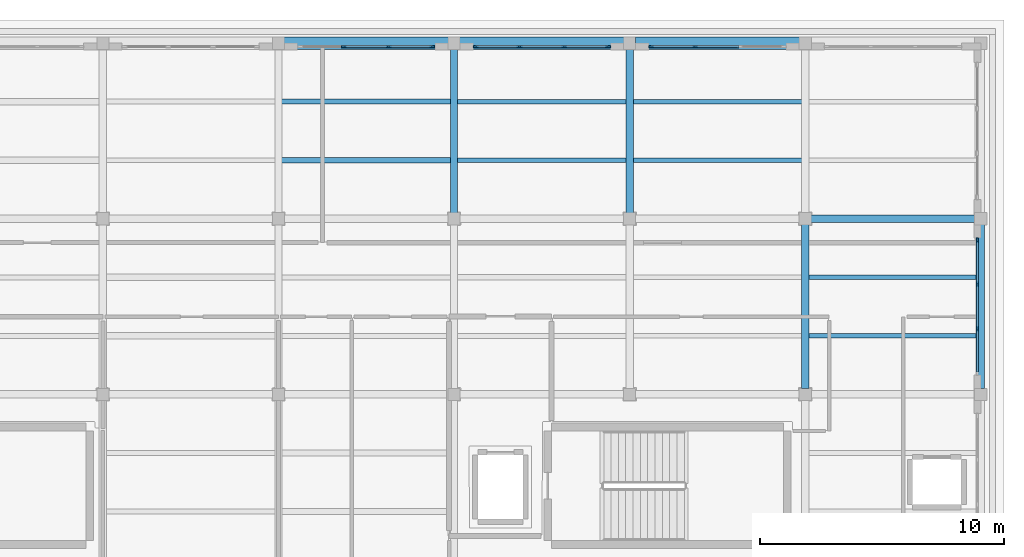
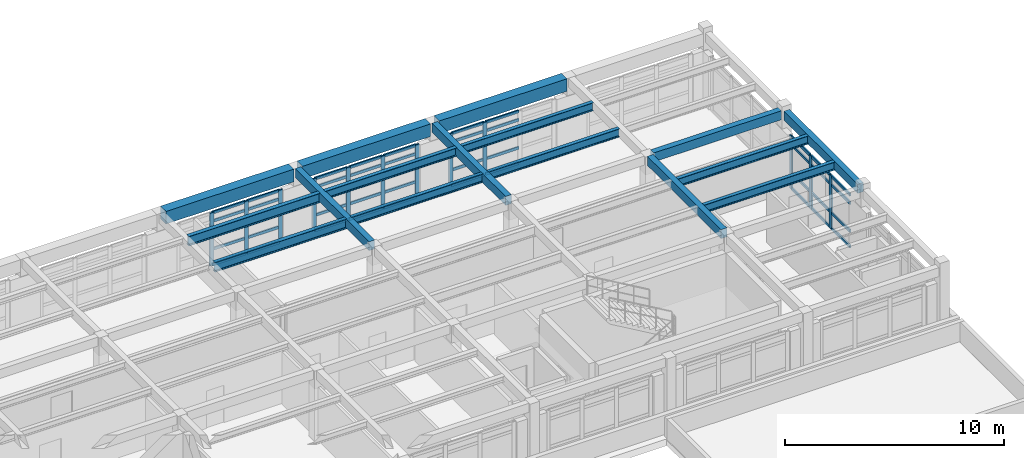
# One storey, part 6 of 15: 52 members, 16 beams, 4 elements without a shape of their own.
"""IFC4 building model written with IfcOpenShell, lengths in metres."""

from ifc_helpers import new_model, si_unit, direction, frame, origin, origin_2d, place, context, subcontext, project, spatial, rectangle, i_section, extrude, material, layer, layer_set, material_profile, profile_set, type_object, element, aggregate, save


model = new_model("IFC4")

# Units and contexts
model_context = context("Model", 3, precision=1e-05, world=origin(), true_north=direction((0.0, 1.0)))
body_context = subcontext(model_context, "Body", "Model", "MODEL_VIEW")
ifc_project = project(units=[si_unit("LENGTHUNIT", "METRE"), si_unit("AREAUNIT", "SQUARE_METRE"), si_unit("VOLUMEUNIT", "CUBIC_METRE"), si_unit("PLANEANGLEUNIT", "RADIAN"), si_unit("MASSUNIT", "GRAM", prefix="KILO")], contexts=[model_context])

# Site, building, storey
site_placement = place(None, origin())
site = spatial("IfcSite", under=ifc_project, at=site_placement, CompositionType="ELEMENT")
building_placement = place(site_placement, origin())
building = spatial("IfcBuilding", under=site, at=building_placement, Name="Solenvale Faculty of Natural Sciences", CompositionType="ELEMENT")
storey_placement = place(building_placement, frame((0.0, 0.0, 48.0)))
storey = spatial("IfcBuildingStorey", under=building, at=storey_placement, Name="L11", CompositionType="ELEMENT", Elevation=48.0)

# Beams
ifc_material_1 = material(Name="Concrete 40 MPa", Category="concrete")
ifc_material_profile_1 = material_profile(ifc_material_1, rectangle(XDim=0.300048828125, YDim=0.5, at=origin_2d()), Name="RC-BM-300x500")
ifc_profile_set_1 = profile_set([ifc_material_profile_1], Name="Concrete 40 MPa")
beam_type_1 = type_object("IfcBeamType", Name="BM-RC-300x500", PredefinedType="BEAM", material=ifc_profile_set_1)
for number, where, z_axis, x_axis, name in (
    (1, (144.22998046875, 108.0, 3.669921875), (1.0, 0.0, 0.0), (0.0, 1.0, 0.0), "L11 X-Girder Y108.0 (144.0..151.2)"),
    (2, (129.60009765625, 108.22998046875, 3.669921875), (0.0, 1.0, 0.0), (-1.0, 0.0, 0.0), "L11 Y-Girder X129.6 (108.0..115.2)"),
    (3, (136.800048828125, 108.22998046875, 3.669921875), (0.0, 1.0, 0.0), (-1.0, 0.0, 0.0), "L11 Y-Girder X136.8 (108.0..115.2)"),
    (4, (144.0, 101.030029296875, 3.669921875), (0.0, 1.0, 0.0), (-1.0, 0.0, 0.0), "L11 Y-Girder X144.0 (100.8..108.0)"),
    (5, (151.199951171875, 101.030029296875, 3.669921875), (0.0, 1.0, 0.0), (-1.0, 0.0, 0.0), "L11 Y-Girder X151.2 (100.8..108.0)"),
):
    element("IfcBeam", number, at=place(storey_placement, frame(where, z_axis=z_axis, x_axis=x_axis)), inside=storey, type_object=beam_type_1, Name=name, PredefinedType="BEAM", context=body_context, shape_type="SweptSolid", body=[
        extrude(rectangle(XDim=0.300048828125, YDim=0.5, at=origin_2d()), origin(), (0.0, 0.0, 1.0), 6.739990234375),
    ])
ifc_material_2 = material(Name="Precast concrete 40 MPa", Category="concrete")
ifc_material_profile_2 = material_profile(ifc_material_2, rectangle(XDim=0.5, YDim=0.699951171875, at=origin_2d()), Name="RC-BM-500x700")
ifc_profile_set_2 = profile_set([ifc_material_profile_2], Name="Precast concrete 40 MPa")
beam_type_2 = type_object("IfcBeamType", Name="BM-SPN-PRC-700", PredefinedType="SPANDREL", material=ifc_profile_set_2)
beam_placement = place(storey_placement, frame((122.6298828125, 115.199951171875, 3.570068359375), z_axis=(1.0, 0.0, 0.0), x_axis=(0.0, 1.0, 0.0)))
element("IfcBeam", 6, at=beam_placement, inside=storey, type_object=beam_type_2, Name="L11 X-Girder Y115.2 (122.4..129.6)", PredefinedType="SPANDREL", context=body_context, shape_type="SweptSolid", body=[
    extrude(rectangle(XDim=0.5, YDim=0.699951171875, at=origin_2d()), origin(), (0.0, 0.0, 1.0), 6.740234375),
])
for number, where, z_axis, x_axis, name in (
    (7, (129.830078125, 115.199951171875, 3.570068359375), (1.0, 0.0, 0.0), (0.0, 1.0, 0.0), "L11 X-Girder Y115.2 (129.6..136.8)"),
    (8, (137.030029296875, 115.199951171875, 3.570068359375), (1.0, 0.0, 0.0), (0.0, 1.0, 0.0), "L11 X-Girder Y115.2 (136.8..144.0)"),
):
    element("IfcBeam", number, at=place(storey_placement, frame(where, z_axis=z_axis, x_axis=x_axis)), inside=storey, type_object=beam_type_2, Name=name, PredefinedType="SPANDREL", context=body_context, shape_type="SweptSolid", body=[
        extrude(rectangle(XDim=0.5, YDim=0.699951171875, at=origin_2d()), origin(), (0.0, 0.0, 1.0), 6.739990234375),
    ])
ifc_material_3 = material(Name="Steel S355", Category="steel")
ifc_material_profile_3 = material_profile(ifc_material_3, i_section(OverallWidth=0.194091796875, OverallDepth=0.468994140625, WebThickness=0.0126953125, FlangeThickness=0.0205078125, FilletRadius=0.01806640625, at=origin_2d()), Name="W460x106")
ifc_profile_set_3 = profile_set([ifc_material_profile_3], Name="Steel S355")
beam_type_3 = type_object("IfcBeamType", Name="BM-STL-W460x106", PredefinedType="JOIST", material=ifc_profile_set_3)
for number, where, z_axis, x_axis, name in (
    (9, (129.72998046875, 110.39990234375, 3.685546875), (1.0, 0.0, 0.0), (0.0, 1.0, 0.0), "L11 Composite Floor Joist (19,16).1"),
    (10, (129.72998046875, 112.800048828125, 3.685546875), (1.0, 0.0, 0.0), (0.0, 1.0, 0.0), "L11 Composite Floor Joist (19,16).2"),
):
    element("IfcBeam", number, at=place(storey_placement, frame(where, z_axis=z_axis, x_axis=x_axis)), inside=storey, type_object=beam_type_3, Name=name, PredefinedType="JOIST", context=body_context, shape_type="SweptSolid", body=[
        extrude(i_section(OverallWidth=0.194091796875, OverallDepth=0.468994140625, WebThickness=0.0126953125, FlangeThickness=0.0205078125, FilletRadius=0.01806640625, at=origin_2d()), origin(), (0.0, 0.0, 1.0), 6.93994140625),
    ])
ifc_material_profile_4 = material_profile(ifc_material_3, i_section(OverallWidth=0.19091796875, OverallDepth=0.4599609375, WebThickness=0.010009765625, FlangeThickness=0.01611328125, FilletRadius=0.01806640625, at=origin_2d()), Name="W460x82")
ifc_profile_set_4 = profile_set([ifc_material_profile_4], Name="Steel S355")
beam_type_4 = type_object("IfcBeamType", Name="BM-STL-W460x82", PredefinedType="JOIST", material=ifc_profile_set_4)
for number, where, z_axis, x_axis, name in (
    (11, (136.929931640625, 110.39990234375, 3.68994140625), (1.0, 0.0, 0.0), (0.0, 1.0, 0.0), "L11 Composite Floor Joist (20,16).1"),
    (12, (136.929931640625, 112.800048828125, 3.68994140625), (1.0, 0.0, 0.0), (0.0, 1.0, 0.0), "L11 Composite Floor Joist (20,16).2"),
    (13, (144.1298828125, 103.199951171875, 3.68994140625), (1.0, 0.0, 0.0), (0.0, 1.0, 0.0), "L11 Composite Floor Joist (21,15).1"),
    (14, (144.1298828125, 105.60009765625, 3.68994140625), (1.0, 0.0, 0.0), (0.0, 1.0, 0.0), "L11 Composite Floor Joist (21,15).2"),
):
    element("IfcBeam", number, at=place(storey_placement, frame(where, z_axis=z_axis, x_axis=x_axis)), inside=storey, type_object=beam_type_4, Name=name, PredefinedType="JOIST", context=body_context, shape_type="SweptSolid", body=[
        extrude(i_section(OverallWidth=0.19091796875, OverallDepth=0.4599609375, WebThickness=0.010009765625, FlangeThickness=0.01611328125, FilletRadius=0.01806640625, at=origin_2d()), origin(), (0.0, 0.0, 1.0), 6.940185546875),
    ])
ifc_material_profile_5 = material_profile(ifc_material_3, i_section(OverallWidth=0.208984375, OverallDepth=0.532958984375, WebThickness=0.01025390625, FlangeThickness=0.015625, FilletRadius=0.01904296875, at=origin_2d()), Name="W530x92")
ifc_profile_set_5 = profile_set([ifc_material_profile_5], Name="Steel S355")
beam_type_5 = type_object("IfcBeamType", Name="BM-STL-W530x92", PredefinedType="JOIST", material=ifc_profile_set_5)
for number, where, z_axis, x_axis, name in (
    (15, (122.530029296875, 110.39990234375, 3.653564453125), (1.0, 0.0, 0.0), (0.0, 1.0, 0.0), "L11 Composite Floor Joist (18,16).1"),
    (16, (122.530029296875, 112.800048828125, 3.653564453125), (1.0, 0.0, 0.0), (0.0, 1.0, 0.0), "L11 Composite Floor Joist (18,16).2"),
):
    element("IfcBeam", number, at=place(storey_placement, frame(where, z_axis=z_axis, x_axis=x_axis)), inside=storey, type_object=beam_type_5, Name=name, PredefinedType="JOIST", context=body_context, shape_type="SweptSolid", body=[
        extrude(i_section(OverallWidth=0.208984375, OverallDepth=0.532958984375, WebThickness=0.01025390625, FlangeThickness=0.015625, FilletRadius=0.01904296875, at=origin_2d()), origin(), (0.0, 0.0, 1.0), 6.93994140625),
    ])

# Curtain wall, members
ifc_material_4 = material(Name="Anodised bronze aluminium", Category="aluminium")
ifc_layer = layer(ifc_material_4, 0.179931640625)
ifc_layer_set = layer_set([ifc_layer], Name="Anodised bronze aluminium")
curtain_wall_type = type_object("IfcCurtainWallType", Name="CW-TWR-MOD", PredefinedType="USERDEFINED", material=ifc_layer_set)
curtain_wall_1_placement = place(storey_placement, origin())
curtain_wall_1 = element("IfcCurtainWall", 17, at=curtain_wall_1_placement, inside=storey, type_object=curtain_wall_type, Name="L11 Curtain Wall CW-L11-P1-E1-B2", ObjectType="UNITISED CURTAIN WALL", PredefinedType="USERDEFINED")
ifc_material_profile_6 = material_profile(ifc_material_4, rectangle(XDim=0.074951171875, YDim=0.2099609375, at=origin_2d()), Name="ALU-MUL-75x210")
ifc_profile_set_6 = profile_set([ifc_material_profile_6], Name="Anodised bronze aluminium")
member_type_1 = type_object("IfcMemberType", Name="CWM-ALU-75x210", PredefinedType="MULLION", material=ifc_profile_set_6)
member_1_placement = place(storey_placement, frame((151.0576171875, 103.4833984375, 0.0), z_axis=(0.0, 0.0, 1.0), x_axis=(-1.0, 0.0, 0.0)))
member_1 = element("IfcMember", 18, at=member_1_placement, type_object=member_type_1, Name="CW-04 mullion 2", PredefinedType="MULLION", context=body_context, shape_type="SweptSolid", body=[
    extrude(rectangle(XDim=0.074951171875, YDim=0.2099609375, at=origin_2d()), origin(), (0.0, 0.0, 1.0), 2.9599609375),
])
member_2_placement = place(storey_placement, frame((151.0576171875, 105.316650390625, 0.0), z_axis=(0.0, 0.0, 1.0), x_axis=(-1.0, 0.0, 0.0)))
member_2 = element("IfcMember", 19, at=member_2_placement, type_object=member_type_1, Name="CW-04 mullion 3", PredefinedType="MULLION", context=body_context, shape_type="SweptSolid", body=[
    extrude(rectangle(XDim=0.074951171875, YDim=0.2099609375, at=origin_2d()), origin(), (0.0, 0.0, 1.0), 2.9599609375),
])
member_3_placement = place(storey_placement, frame((151.0576171875, 107.112548828125, 0.0), z_axis=(0.0, 0.0, 1.0), x_axis=(-1.0, 0.0, 0.0)))
member_3 = element("IfcMember", 20, at=member_3_placement, type_object=member_type_1, Name="CW-04 mullion 4", PredefinedType="MULLION", context=body_context, shape_type="SweptSolid", body=[
    extrude(rectangle(XDim=0.074951171875, YDim=0.2099609375, at=origin_2d()), origin(), (0.0, 0.0, 1.0), 2.9599609375),
])

curtain_wall_2_placement = place(storey_placement, origin())
curtain_wall_2 = element("IfcCurtainWall", 21, at=curtain_wall_2_placement, inside=storey, type_object=curtain_wall_type, Name="L11 Curtain Wall CW-L11-P1-E2-B2", ObjectType="UNITISED CURTAIN WALL", PredefinedType="USERDEFINED")
member_4_placement = place(storey_placement, frame((139.4833984375, 115.0576171875, 0.0), z_axis=(0.0, 0.0, 1.0), x_axis=(0.0, -1.0, 0.0)))
member_4 = element("IfcMember", 22, at=member_4_placement, type_object=member_type_1, Name="CW-04 mullion 3", PredefinedType="MULLION", context=body_context, shape_type="SweptSolid", body=[
    extrude(rectangle(XDim=0.074951171875, YDim=0.2099609375, at=origin_2d()), origin(), (0.0, 0.0, 1.0), 2.9599609375),
])
member_5_placement = place(storey_placement, frame((137.6875, 115.0576171875, 0.0), z_axis=(0.0, 0.0, 1.0), x_axis=(0.0, -1.0, 0.0)))
member_5 = element("IfcMember", 23, at=member_5_placement, type_object=member_type_1, Name="CW-04 mullion 4", PredefinedType="MULLION", context=body_context, shape_type="SweptSolid", body=[
    extrude(rectangle(XDim=0.074951171875, YDim=0.2099609375, at=origin_2d()), origin(), (0.0, 0.0, 1.0), 2.9599609375),
])

curtain_wall_3_placement = place(storey_placement, origin())
curtain_wall_3 = element("IfcCurtainWall", 24, at=curtain_wall_3_placement, inside=storey, type_object=curtain_wall_type, Name="L11 Curtain Wall CW-L11-P1-E2-B3", ObjectType="UNITISED CURTAIN WALL", PredefinedType="USERDEFINED")
member_6_placement = place(storey_placement, frame((135.91259765625, 115.0576171875, 0.0), z_axis=(0.0, 0.0, 1.0), x_axis=(0.0, -1.0, 0.0)))
member_6 = element("IfcMember", 25, at=member_6_placement, type_object=member_type_1, Name="CW-04 mullion 1", PredefinedType="MULLION", context=body_context, shape_type="SweptSolid", body=[
    extrude(rectangle(XDim=0.074951171875, YDim=0.2099609375, at=origin_2d()), origin(), (0.0, 0.0, 1.0), 2.9599609375),
])
member_7_placement = place(storey_placement, frame((134.11669921875, 115.0576171875, 0.0), z_axis=(0.0, 0.0, 1.0), x_axis=(0.0, -1.0, 0.0)))
member_7 = element("IfcMember", 26, at=member_7_placement, type_object=member_type_1, Name="CW-04 mullion 2", PredefinedType="MULLION", context=body_context, shape_type="SweptSolid", body=[
    extrude(rectangle(XDim=0.074951171875, YDim=0.2099609375, at=origin_2d()), origin(), (0.0, 0.0, 1.0), 2.9599609375),
])
member_8_placement = place(storey_placement, frame((132.283447265625, 115.0576171875, 0.0), z_axis=(0.0, 0.0, 1.0), x_axis=(0.0, -1.0, 0.0)))
member_8 = element("IfcMember", 27, at=member_8_placement, type_object=member_type_1, Name="CW-04 mullion 3", PredefinedType="MULLION", context=body_context, shape_type="SweptSolid", body=[
    extrude(rectangle(XDim=0.074951171875, YDim=0.2099609375, at=origin_2d()), origin(), (0.0, 0.0, 1.0), 2.9599609375),
])
member_9_placement = place(storey_placement, frame((130.487548828125, 115.0576171875, 0.0), z_axis=(0.0, 0.0, 1.0), x_axis=(0.0, -1.0, 0.0)))
member_9 = element("IfcMember", 28, at=member_9_placement, type_object=member_type_1, Name="CW-04 mullion 4", PredefinedType="MULLION", context=body_context, shape_type="SweptSolid", body=[
    extrude(rectangle(XDim=0.074951171875, YDim=0.2099609375, at=origin_2d()), origin(), (0.0, 0.0, 1.0), 2.9599609375),
])

curtain_wall_4_placement = place(storey_placement, origin())
curtain_wall_4 = element("IfcCurtainWall", 29, at=curtain_wall_4_placement, inside=storey, type_object=curtain_wall_type, Name="L11 Curtain Wall CW-L11-P1-E2-B4", ObjectType="UNITISED CURTAIN WALL", PredefinedType="USERDEFINED")
member_10_placement = place(storey_placement, frame((128.71240234375, 115.0576171875, 0.0), z_axis=(0.0, 0.0, 1.0), x_axis=(0.0, -1.0, 0.0)))
member_10 = element("IfcMember", 30, at=member_10_placement, type_object=member_type_1, Name="CW-04 mullion 1", PredefinedType="MULLION", context=body_context, shape_type="SweptSolid", body=[
    extrude(rectangle(XDim=0.074951171875, YDim=0.2099609375, at=origin_2d()), origin(), (0.0, 0.0, 1.0), 2.9599609375),
])
member_11_placement = place(storey_placement, frame((126.916748046875, 115.0576171875, 0.0), z_axis=(0.0, 0.0, 1.0), x_axis=(0.0, -1.0, 0.0)))
member_11 = element("IfcMember", 31, at=member_11_placement, type_object=member_type_1, Name="CW-04 mullion 2", PredefinedType="MULLION", context=body_context, shape_type="SweptSolid", body=[
    extrude(rectangle(XDim=0.074951171875, YDim=0.2099609375, at=origin_2d()), origin(), (0.0, 0.0, 1.0), 2.9599609375),
])
member_12_placement = place(storey_placement, frame((125.083251953125, 115.0576171875, 0.0), z_axis=(0.0, 0.0, 1.0), x_axis=(0.0, -1.0, 0.0)))
member_12 = element("IfcMember", 32, at=member_12_placement, type_object=member_type_1, Name="CW-04 mullion 3", PredefinedType="MULLION", context=body_context, shape_type="SweptSolid", body=[
    extrude(rectangle(XDim=0.074951171875, YDim=0.2099609375, at=origin_2d()), origin(), (0.0, 0.0, 1.0), 2.9599609375),
])

# Member
ifc_material_profile_7 = material_profile(ifc_material_4, rectangle(XDim=0.074951171875, YDim=0.155029296875, at=origin_2d()), Name="ALU-TRN-75x155")
ifc_profile_set_7 = profile_set([ifc_material_profile_7], Name="Anodised bronze aluminium")
member_type_2 = type_object("IfcMemberType", Name="CWT-ALU-75x155", PredefinedType="USERDEFINED", material=ifc_profile_set_7)
member_13_placement = place(storey_placement, frame((151.0576171875, 101.72509765625, 0.03759765625), z_axis=(0.0, 1.0, 0.0), x_axis=(-1.0, 0.0, 0.0)))
member_13 = element("IfcMember", 33, at=member_13_placement, type_object=member_type_2, Name="CW-04 transom 1.1", ObjectType="TRANSOM", PredefinedType="USERDEFINED", context=body_context, shape_type="SweptSolid", body=[
    extrude(rectangle(XDim=0.074951171875, YDim=0.155029296875, at=origin_2d()), origin(), (0.0, 0.0, 1.0), 1.720703125),
])

member_14_placement = place(storey_placement, frame((151.0576171875, 101.72509765625, 0.89990234375), z_axis=(0.0, 1.0, 0.0), x_axis=(-1.0, 0.0, 0.0)))
member_14 = element("IfcMember", 34, at=member_14_placement, type_object=member_type_2, Name="CW-04 transom 1.2", ObjectType="TRANSOM", PredefinedType="USERDEFINED", context=body_context, shape_type="SweptSolid", body=[
    extrude(rectangle(XDim=0.074951171875, YDim=0.155029296875, at=origin_2d()), origin(), (0.0, 0.0, 1.0), 1.720703125),
])

member_15_placement = place(storey_placement, frame((151.0576171875, 101.72509765625, 2.4599609375), z_axis=(0.0, 1.0, 0.0), x_axis=(-1.0, 0.0, 0.0)))
member_15 = element("IfcMember", 35, at=member_15_placement, type_object=member_type_2, Name="CW-04 transom 1.3", ObjectType="TRANSOM", PredefinedType="USERDEFINED", context=body_context, shape_type="SweptSolid", body=[
    extrude(rectangle(XDim=0.074951171875, YDim=0.155029296875, at=origin_2d()), origin(), (0.0, 0.0, 1.0), 1.720703125),
])

member_16_placement = place(storey_placement, frame((151.0576171875, 101.72509765625, 2.922607421875), z_axis=(0.0, 1.0, 0.0), x_axis=(-1.0, 0.0, 0.0)))
member_16 = element("IfcMember", 36, at=member_16_placement, type_object=member_type_2, Name="CW-04 transom 1.4", ObjectType="TRANSOM", PredefinedType="USERDEFINED", context=body_context, shape_type="SweptSolid", body=[
    extrude(rectangle(XDim=0.074951171875, YDim=0.155029296875, at=origin_2d()), origin(), (0.0, 0.0, 1.0), 1.720703125),
])

member_17_placement = place(storey_placement, frame((151.0576171875, 103.520751953125, 0.03759765625), z_axis=(0.0, 1.0, 0.0), x_axis=(-1.0, 0.0, 0.0)))
member_17 = element("IfcMember", 37, at=member_17_placement, type_object=member_type_2, Name="CW-04 transom 2.1", ObjectType="TRANSOM", PredefinedType="USERDEFINED", context=body_context, shape_type="SweptSolid", body=[
    extrude(rectangle(XDim=0.074951171875, YDim=0.155029296875, at=origin_2d()), origin(), (0.0, 0.0, 1.0), 1.75830078125),
])

member_18_placement = place(storey_placement, frame((151.0576171875, 103.520751953125, 0.89990234375), z_axis=(0.0, 1.0, 0.0), x_axis=(-1.0, 0.0, 0.0)))
member_18 = element("IfcMember", 38, at=member_18_placement, type_object=member_type_2, Name="CW-04 transom 2.2", ObjectType="TRANSOM", PredefinedType="USERDEFINED", context=body_context, shape_type="SweptSolid", body=[
    extrude(rectangle(XDim=0.074951171875, YDim=0.155029296875, at=origin_2d()), origin(), (0.0, 0.0, 1.0), 1.75830078125),
])

member_19_placement = place(storey_placement, frame((151.0576171875, 103.520751953125, 2.4599609375), z_axis=(0.0, 1.0, 0.0), x_axis=(-1.0, 0.0, 0.0)))
member_19 = element("IfcMember", 39, at=member_19_placement, type_object=member_type_2, Name="CW-04 transom 2.3", ObjectType="TRANSOM", PredefinedType="USERDEFINED", context=body_context, shape_type="SweptSolid", body=[
    extrude(rectangle(XDim=0.074951171875, YDim=0.155029296875, at=origin_2d()), origin(), (0.0, 0.0, 1.0), 1.75830078125),
])

member_20_placement = place(storey_placement, frame((151.0576171875, 103.520751953125, 2.922607421875), z_axis=(0.0, 1.0, 0.0), x_axis=(-1.0, 0.0, 0.0)))
member_20 = element("IfcMember", 40, at=member_20_placement, type_object=member_type_2, Name="CW-04 transom 2.4", ObjectType="TRANSOM", PredefinedType="USERDEFINED", context=body_context, shape_type="SweptSolid", body=[
    extrude(rectangle(XDim=0.074951171875, YDim=0.155029296875, at=origin_2d()), origin(), (0.0, 0.0, 1.0), 1.75830078125),
])

member_21_placement = place(storey_placement, frame((151.0576171875, 105.354248046875, 0.03759765625), z_axis=(0.0, 1.0, 0.0), x_axis=(-1.0, 0.0, 0.0)))
member_21 = element("IfcMember", 41, at=member_21_placement, type_object=member_type_2, Name="CW-04 transom 3.1", ObjectType="TRANSOM", PredefinedType="USERDEFINED", context=body_context, shape_type="SweptSolid", body=[
    extrude(rectangle(XDim=0.074951171875, YDim=0.155029296875, at=origin_2d()), origin(), (0.0, 0.0, 1.0), 1.720703125),
])

member_22_placement = place(storey_placement, frame((151.0576171875, 105.354248046875, 0.89990234375), z_axis=(0.0, 1.0, 0.0), x_axis=(-1.0, 0.0, 0.0)))
member_22 = element("IfcMember", 42, at=member_22_placement, type_object=member_type_2, Name="CW-04 transom 3.2", ObjectType="TRANSOM", PredefinedType="USERDEFINED", context=body_context, shape_type="SweptSolid", body=[
    extrude(rectangle(XDim=0.074951171875, YDim=0.155029296875, at=origin_2d()), origin(), (0.0, 0.0, 1.0), 1.720703125),
])

member_23_placement = place(storey_placement, frame((151.0576171875, 105.354248046875, 2.4599609375), z_axis=(0.0, 1.0, 0.0), x_axis=(-1.0, 0.0, 0.0)))
member_23 = element("IfcMember", 43, at=member_23_placement, type_object=member_type_2, Name="CW-04 transom 3.3", ObjectType="TRANSOM", PredefinedType="USERDEFINED", context=body_context, shape_type="SweptSolid", body=[
    extrude(rectangle(XDim=0.074951171875, YDim=0.155029296875, at=origin_2d()), origin(), (0.0, 0.0, 1.0), 1.720703125),
])

member_24_placement = place(storey_placement, frame((151.0576171875, 105.354248046875, 2.922607421875), z_axis=(0.0, 1.0, 0.0), x_axis=(-1.0, 0.0, 0.0)))
member_24 = element("IfcMember", 44, at=member_24_placement, type_object=member_type_2, Name="CW-04 transom 3.4", ObjectType="TRANSOM", PredefinedType="USERDEFINED", context=body_context, shape_type="SweptSolid", body=[
    extrude(rectangle(XDim=0.074951171875, YDim=0.155029296875, at=origin_2d()), origin(), (0.0, 0.0, 1.0), 1.720703125),
])

aggregate(curtain_wall_1, [member_1, member_2, member_3, member_13, member_14, member_15, member_16, member_17, member_18, member_19, member_20, member_21, member_22, member_23, member_24])

member_25_placement = place(storey_placement, frame((141.279052734375, 115.0576171875, 0.03759765625), z_axis=(-1.0, 0.0, 0.0), x_axis=(0.0, -1.0, 0.0)))
member_25 = element("IfcMember", 45, at=member_25_placement, type_object=member_type_2, Name="CW-04 transom 2.1", ObjectType="TRANSOM", PredefinedType="USERDEFINED", context=body_context, shape_type="SweptSolid", body=[
    extrude(rectangle(XDim=0.074951171875, YDim=0.155029296875, at=origin_2d()), origin(), (0.0, 0.0, 1.0), 1.75830078125),
])

member_26_placement = place(storey_placement, frame((141.279052734375, 115.0576171875, 0.89990234375), z_axis=(-1.0, 0.0, 0.0), x_axis=(0.0, -1.0, 0.0)))
member_26 = element("IfcMember", 46, at=member_26_placement, type_object=member_type_2, Name="CW-04 transom 2.2", ObjectType="TRANSOM", PredefinedType="USERDEFINED", context=body_context, shape_type="SweptSolid", body=[
    extrude(rectangle(XDim=0.074951171875, YDim=0.155029296875, at=origin_2d()), origin(), (0.0, 0.0, 1.0), 1.75830078125),
])

member_27_placement = place(storey_placement, frame((141.279052734375, 115.0576171875, 2.4599609375), z_axis=(-1.0, 0.0, 0.0), x_axis=(0.0, -1.0, 0.0)))
member_27 = element("IfcMember", 47, at=member_27_placement, type_object=member_type_2, Name="CW-04 transom 2.3", ObjectType="TRANSOM", PredefinedType="USERDEFINED", context=body_context, shape_type="SweptSolid", body=[
    extrude(rectangle(XDim=0.074951171875, YDim=0.155029296875, at=origin_2d()), origin(), (0.0, 0.0, 1.0), 1.75830078125),
])

member_28_placement = place(storey_placement, frame((141.279052734375, 115.0576171875, 2.922607421875), z_axis=(-1.0, 0.0, 0.0), x_axis=(0.0, -1.0, 0.0)))
member_28 = element("IfcMember", 48, at=member_28_placement, type_object=member_type_2, Name="CW-04 transom 2.4", ObjectType="TRANSOM", PredefinedType="USERDEFINED", context=body_context, shape_type="SweptSolid", body=[
    extrude(rectangle(XDim=0.074951171875, YDim=0.155029296875, at=origin_2d()), origin(), (0.0, 0.0, 1.0), 1.75830078125),
])

member_29_placement = place(storey_placement, frame((139.44580078125, 115.0576171875, 0.03759765625), z_axis=(-1.0, 0.0, 0.0), x_axis=(0.0, -1.0, 0.0)))
member_29 = element("IfcMember", 49, at=member_29_placement, type_object=member_type_2, Name="CW-04 transom 3.1", ObjectType="TRANSOM", PredefinedType="USERDEFINED", context=body_context, shape_type="SweptSolid", body=[
    extrude(rectangle(XDim=0.074951171875, YDim=0.155029296875, at=origin_2d()), origin(), (0.0, 0.0, 1.0), 1.720703125),
])

member_30_placement = place(storey_placement, frame((139.44580078125, 115.0576171875, 0.89990234375), z_axis=(-1.0, 0.0, 0.0), x_axis=(0.0, -1.0, 0.0)))
member_30 = element("IfcMember", 50, at=member_30_placement, type_object=member_type_2, Name="CW-04 transom 3.2", ObjectType="TRANSOM", PredefinedType="USERDEFINED", context=body_context, shape_type="SweptSolid", body=[
    extrude(rectangle(XDim=0.074951171875, YDim=0.155029296875, at=origin_2d()), origin(), (0.0, 0.0, 1.0), 1.720703125),
])

member_31_placement = place(storey_placement, frame((139.44580078125, 115.0576171875, 2.4599609375), z_axis=(-1.0, 0.0, 0.0), x_axis=(0.0, -1.0, 0.0)))
member_31 = element("IfcMember", 51, at=member_31_placement, type_object=member_type_2, Name="CW-04 transom 3.3", ObjectType="TRANSOM", PredefinedType="USERDEFINED", context=body_context, shape_type="SweptSolid", body=[
    extrude(rectangle(XDim=0.074951171875, YDim=0.155029296875, at=origin_2d()), origin(), (0.0, 0.0, 1.0), 1.720703125),
])

member_32_placement = place(storey_placement, frame((139.44580078125, 115.0576171875, 2.922607421875), z_axis=(-1.0, 0.0, 0.0), x_axis=(0.0, -1.0, 0.0)))
member_32 = element("IfcMember", 52, at=member_32_placement, type_object=member_type_2, Name="CW-04 transom 3.4", ObjectType="TRANSOM", PredefinedType="USERDEFINED", context=body_context, shape_type="SweptSolid", body=[
    extrude(rectangle(XDim=0.074951171875, YDim=0.155029296875, at=origin_2d()), origin(), (0.0, 0.0, 1.0), 1.720703125),
])

aggregate(curtain_wall_2, [member_4, member_5, member_25, member_26, member_27, member_28, member_29, member_30, member_31, member_32])

member_33_placement = place(storey_placement, frame((135.875, 115.0576171875, 0.03759765625), z_axis=(-1.0, 0.0, 0.0), x_axis=(0.0, -1.0, 0.0)))
member_33 = element("IfcMember", 53, at=member_33_placement, type_object=member_type_2, Name="CW-04 transom 1.1", ObjectType="TRANSOM", PredefinedType="USERDEFINED", context=body_context, shape_type="SweptSolid", body=[
    extrude(rectangle(XDim=0.074951171875, YDim=0.155029296875, at=origin_2d()), origin(), (0.0, 0.0, 1.0), 1.720947265625),
])

member_34_placement = place(storey_placement, frame((135.875, 115.0576171875, 0.89990234375), z_axis=(-1.0, 0.0, 0.0), x_axis=(0.0, -1.0, 0.0)))
member_34 = element("IfcMember", 54, at=member_34_placement, type_object=member_type_2, Name="CW-04 transom 1.2", ObjectType="TRANSOM", PredefinedType="USERDEFINED", context=body_context, shape_type="SweptSolid", body=[
    extrude(rectangle(XDim=0.074951171875, YDim=0.155029296875, at=origin_2d()), origin(), (0.0, 0.0, 1.0), 1.720947265625),
])

member_35_placement = place(storey_placement, frame((135.875, 115.0576171875, 2.4599609375), z_axis=(-1.0, 0.0, 0.0), x_axis=(0.0, -1.0, 0.0)))
member_35 = element("IfcMember", 55, at=member_35_placement, type_object=member_type_2, Name="CW-04 transom 1.3", ObjectType="TRANSOM", PredefinedType="USERDEFINED", context=body_context, shape_type="SweptSolid", body=[
    extrude(rectangle(XDim=0.074951171875, YDim=0.155029296875, at=origin_2d()), origin(), (0.0, 0.0, 1.0), 1.720947265625),
])

member_36_placement = place(storey_placement, frame((135.875, 115.0576171875, 2.922607421875), z_axis=(-1.0, 0.0, 0.0), x_axis=(0.0, -1.0, 0.0)))
member_36 = element("IfcMember", 56, at=member_36_placement, type_object=member_type_2, Name="CW-04 transom 1.4", ObjectType="TRANSOM", PredefinedType="USERDEFINED", context=body_context, shape_type="SweptSolid", body=[
    extrude(rectangle(XDim=0.074951171875, YDim=0.155029296875, at=origin_2d()), origin(), (0.0, 0.0, 1.0), 1.720947265625),
])

member_37_placement = place(storey_placement, frame((134.0791015625, 115.0576171875, 0.03759765625), z_axis=(-1.0, 0.0, 0.0), x_axis=(0.0, -1.0, 0.0)))
member_37 = element("IfcMember", 57, at=member_37_placement, type_object=member_type_2, Name="CW-04 transom 2.1", ObjectType="TRANSOM", PredefinedType="USERDEFINED", context=body_context, shape_type="SweptSolid", body=[
    extrude(rectangle(XDim=0.074951171875, YDim=0.155029296875, at=origin_2d()), origin(), (0.0, 0.0, 1.0), 1.75830078125),
])

member_38_placement = place(storey_placement, frame((134.0791015625, 115.0576171875, 0.89990234375), z_axis=(-1.0, 0.0, 0.0), x_axis=(0.0, -1.0, 0.0)))
member_38 = element("IfcMember", 58, at=member_38_placement, type_object=member_type_2, Name="CW-04 transom 2.2", ObjectType="TRANSOM", PredefinedType="USERDEFINED", context=body_context, shape_type="SweptSolid", body=[
    extrude(rectangle(XDim=0.074951171875, YDim=0.155029296875, at=origin_2d()), origin(), (0.0, 0.0, 1.0), 1.75830078125),
])

member_39_placement = place(storey_placement, frame((134.0791015625, 115.0576171875, 2.4599609375), z_axis=(-1.0, 0.0, 0.0), x_axis=(0.0, -1.0, 0.0)))
member_39 = element("IfcMember", 59, at=member_39_placement, type_object=member_type_2, Name="CW-04 transom 2.3", ObjectType="TRANSOM", PredefinedType="USERDEFINED", context=body_context, shape_type="SweptSolid", body=[
    extrude(rectangle(XDim=0.074951171875, YDim=0.155029296875, at=origin_2d()), origin(), (0.0, 0.0, 1.0), 1.75830078125),
])

member_40_placement = place(storey_placement, frame((134.0791015625, 115.0576171875, 2.922607421875), z_axis=(-1.0, 0.0, 0.0), x_axis=(0.0, -1.0, 0.0)))
member_40 = element("IfcMember", 60, at=member_40_placement, type_object=member_type_2, Name="CW-04 transom 2.4", ObjectType="TRANSOM", PredefinedType="USERDEFINED", context=body_context, shape_type="SweptSolid", body=[
    extrude(rectangle(XDim=0.074951171875, YDim=0.155029296875, at=origin_2d()), origin(), (0.0, 0.0, 1.0), 1.75830078125),
])

member_41_placement = place(storey_placement, frame((132.245849609375, 115.0576171875, 0.03759765625), z_axis=(-1.0, 0.0, 0.0), x_axis=(0.0, -1.0, 0.0)))
member_41 = element("IfcMember", 61, at=member_41_placement, type_object=member_type_2, Name="CW-04 transom 3.1", ObjectType="TRANSOM", PredefinedType="USERDEFINED", context=body_context, shape_type="SweptSolid", body=[
    extrude(rectangle(XDim=0.074951171875, YDim=0.155029296875, at=origin_2d()), origin(), (0.0, 0.0, 1.0), 1.720947265625),
])

member_42_placement = place(storey_placement, frame((132.245849609375, 115.0576171875, 0.89990234375), z_axis=(-1.0, 0.0, 0.0), x_axis=(0.0, -1.0, 0.0)))
member_42 = element("IfcMember", 62, at=member_42_placement, type_object=member_type_2, Name="CW-04 transom 3.2", ObjectType="TRANSOM", PredefinedType="USERDEFINED", context=body_context, shape_type="SweptSolid", body=[
    extrude(rectangle(XDim=0.074951171875, YDim=0.155029296875, at=origin_2d()), origin(), (0.0, 0.0, 1.0), 1.720947265625),
])

member_43_placement = place(storey_placement, frame((132.245849609375, 115.0576171875, 2.4599609375), z_axis=(-1.0, 0.0, 0.0), x_axis=(0.0, -1.0, 0.0)))
member_43 = element("IfcMember", 63, at=member_43_placement, type_object=member_type_2, Name="CW-04 transom 3.3", ObjectType="TRANSOM", PredefinedType="USERDEFINED", context=body_context, shape_type="SweptSolid", body=[
    extrude(rectangle(XDim=0.074951171875, YDim=0.155029296875, at=origin_2d()), origin(), (0.0, 0.0, 1.0), 1.720947265625),
])

member_44_placement = place(storey_placement, frame((132.245849609375, 115.0576171875, 2.922607421875), z_axis=(-1.0, 0.0, 0.0), x_axis=(0.0, -1.0, 0.0)))
member_44 = element("IfcMember", 64, at=member_44_placement, type_object=member_type_2, Name="CW-04 transom 3.4", ObjectType="TRANSOM", PredefinedType="USERDEFINED", context=body_context, shape_type="SweptSolid", body=[
    extrude(rectangle(XDim=0.074951171875, YDim=0.155029296875, at=origin_2d()), origin(), (0.0, 0.0, 1.0), 1.720947265625),
])

aggregate(curtain_wall_3, [member_6, member_7, member_8, member_9, member_33, member_34, member_35, member_36, member_37, member_38, member_39, member_40, member_41, member_42, member_43, member_44])

member_45_placement = place(storey_placement, frame((128.675048828125, 115.0576171875, 0.03759765625), z_axis=(-1.0, 0.0, 0.0), x_axis=(0.0, -1.0, 0.0)))
member_45 = element("IfcMember", 65, at=member_45_placement, type_object=member_type_2, Name="CW-04 transom 1.1", ObjectType="TRANSOM", PredefinedType="USERDEFINED", context=body_context, shape_type="SweptSolid", body=[
    extrude(rectangle(XDim=0.074951171875, YDim=0.155029296875, at=origin_2d()), origin(), (0.0, 0.0, 1.0), 1.720947265625),
])

member_46_placement = place(storey_placement, frame((128.675048828125, 115.0576171875, 0.89990234375), z_axis=(-1.0, 0.0, 0.0), x_axis=(0.0, -1.0, 0.0)))
member_46 = element("IfcMember", 66, at=member_46_placement, type_object=member_type_2, Name="CW-04 transom 1.2", ObjectType="TRANSOM", PredefinedType="USERDEFINED", context=body_context, shape_type="SweptSolid", body=[
    extrude(rectangle(XDim=0.074951171875, YDim=0.155029296875, at=origin_2d()), origin(), (0.0, 0.0, 1.0), 1.720947265625),
])

member_47_placement = place(storey_placement, frame((128.675048828125, 115.0576171875, 2.4599609375), z_axis=(-1.0, 0.0, 0.0), x_axis=(0.0, -1.0, 0.0)))
member_47 = element("IfcMember", 67, at=member_47_placement, type_object=member_type_2, Name="CW-04 transom 1.3", ObjectType="TRANSOM", PredefinedType="USERDEFINED", context=body_context, shape_type="SweptSolid", body=[
    extrude(rectangle(XDim=0.074951171875, YDim=0.155029296875, at=origin_2d()), origin(), (0.0, 0.0, 1.0), 1.720947265625),
])

member_48_placement = place(storey_placement, frame((128.675048828125, 115.0576171875, 2.922607421875), z_axis=(-1.0, 0.0, 0.0), x_axis=(0.0, -1.0, 0.0)))
member_48 = element("IfcMember", 68, at=member_48_placement, type_object=member_type_2, Name="CW-04 transom 1.4", ObjectType="TRANSOM", PredefinedType="USERDEFINED", context=body_context, shape_type="SweptSolid", body=[
    extrude(rectangle(XDim=0.074951171875, YDim=0.155029296875, at=origin_2d()), origin(), (0.0, 0.0, 1.0), 1.720947265625),
])

member_49_placement = place(storey_placement, frame((126.879150390625, 115.0576171875, 0.03759765625), z_axis=(-1.0, 0.0, 0.0), x_axis=(0.0, -1.0, 0.0)))
member_49 = element("IfcMember", 69, at=member_49_placement, type_object=member_type_2, Name="CW-04 transom 2.1", ObjectType="TRANSOM", PredefinedType="USERDEFINED", context=body_context, shape_type="SweptSolid", body=[
    extrude(rectangle(XDim=0.074951171875, YDim=0.155029296875, at=origin_2d()), origin(), (0.0, 0.0, 1.0), 1.75830078125),
])

member_50_placement = place(storey_placement, frame((126.879150390625, 115.0576171875, 0.89990234375), z_axis=(-1.0, 0.0, 0.0), x_axis=(0.0, -1.0, 0.0)))
member_50 = element("IfcMember", 70, at=member_50_placement, type_object=member_type_2, Name="CW-04 transom 2.2", ObjectType="TRANSOM", PredefinedType="USERDEFINED", context=body_context, shape_type="SweptSolid", body=[
    extrude(rectangle(XDim=0.074951171875, YDim=0.155029296875, at=origin_2d()), origin(), (0.0, 0.0, 1.0), 1.75830078125),
])

member_51_placement = place(storey_placement, frame((126.879150390625, 115.0576171875, 2.4599609375), z_axis=(-1.0, 0.0, 0.0), x_axis=(0.0, -1.0, 0.0)))
member_51 = element("IfcMember", 71, at=member_51_placement, type_object=member_type_2, Name="CW-04 transom 2.3", ObjectType="TRANSOM", PredefinedType="USERDEFINED", context=body_context, shape_type="SweptSolid", body=[
    extrude(rectangle(XDim=0.074951171875, YDim=0.155029296875, at=origin_2d()), origin(), (0.0, 0.0, 1.0), 1.75830078125),
])

member_52_placement = place(storey_placement, frame((126.879150390625, 115.0576171875, 2.922607421875), z_axis=(-1.0, 0.0, 0.0), x_axis=(0.0, -1.0, 0.0)))
member_52 = element("IfcMember", 72, at=member_52_placement, type_object=member_type_2, Name="CW-04 transom 2.4", ObjectType="TRANSOM", PredefinedType="USERDEFINED", context=body_context, shape_type="SweptSolid", body=[
    extrude(rectangle(XDim=0.074951171875, YDim=0.155029296875, at=origin_2d()), origin(), (0.0, 0.0, 1.0), 1.75830078125),
])

aggregate(curtain_wall_4, [member_10, member_11, member_12, member_45, member_46, member_47, member_48, member_49, member_50, member_51, member_52])

save(model, "model.ifc")
